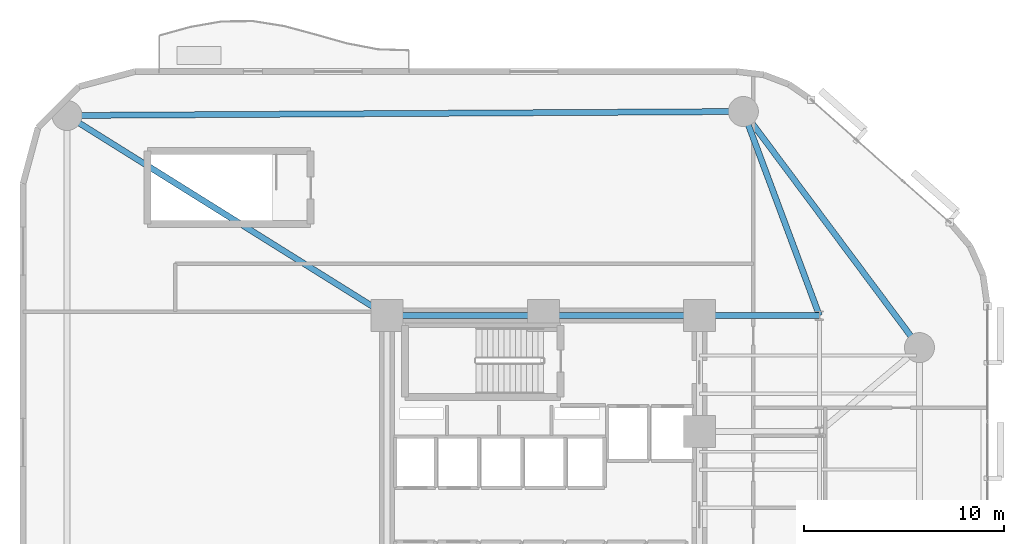
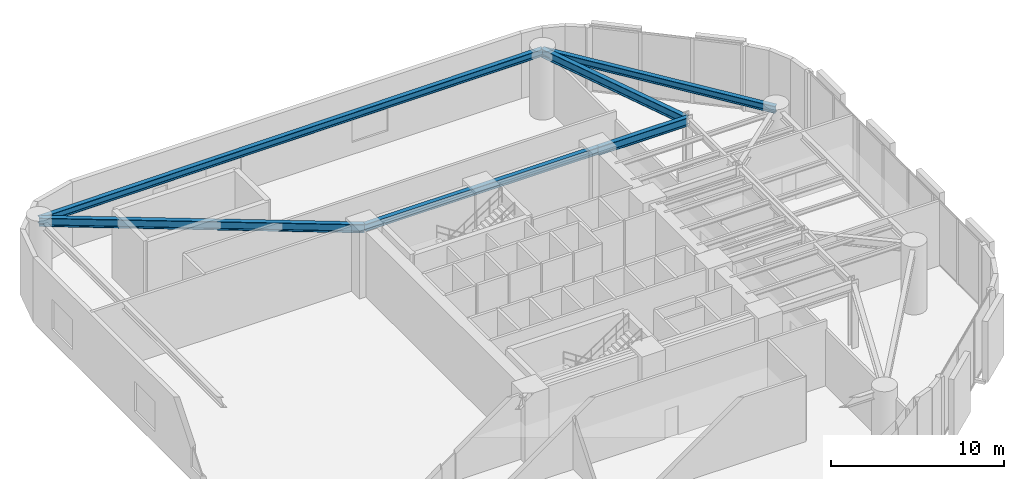
# One storey, part 6 of 13: 6 beams.
"""IFC4 building model written with IfcOpenShell, lengths in metres."""

from ifc_helpers import new_model, si_unit, direction, frame, origin, origin_2d, place, context, subcontext, project, spatial, i_section, extrude, material, material_profile, profile_set, type_object, element, save


model = new_model("IFC4")

# Units and contexts
model_context = context("Model", 3, precision=1e-05, world=origin(), true_north=direction((0.0, 1.0)))
body_context = subcontext(model_context, "Body", "Model", "MODEL_VIEW")
ifc_project = project(units=[si_unit("LENGTHUNIT", "METRE"), si_unit("AREAUNIT", "SQUARE_METRE"), si_unit("VOLUMEUNIT", "CUBIC_METRE"), si_unit("PLANEANGLEUNIT", "RADIAN"), si_unit("MASSUNIT", "GRAM", prefix="KILO")], contexts=[model_context])

# Site, building, storey
site_placement = place(None, origin())
site = spatial("IfcSite", under=ifc_project, at=site_placement, CompositionType="ELEMENT")
building_placement = place(site_placement, origin())
building = spatial("IfcBuilding", under=site, at=building_placement, Name="An Khanh Terracotta Commons", CompositionType="ELEMENT")
storey_placement = place(building_placement, frame((0.0, 0.0, 24.0)))
storey = spatial("IfcBuildingStorey", under=building, at=storey_placement, Name="L06", CompositionType="ELEMENT", Elevation=24.0)

# Beams
ifc_material = material(Name="Steel S355J2", Category="steel")
ifc_material_profile_1 = material_profile(ifc_material, i_section(OverallWidth=0.300048828125, OverallDepth=0.5, WebThickness=0.014404296875, FlangeThickness=0.028076171875, FilletRadius=0.027099609375, at=origin_2d()), Name="HEB500")
ifc_profile_set_1 = profile_set([ifc_material_profile_1], Name="Steel S355J2")
beam_type_1 = type_object("IfcBeamType", Name="BM-HEB500", PredefinedType="BEAM", material=ifc_profile_set_1)
beam_1_placement = place(storey_placement, frame((21.60009765625, 33.60009765625, 4.35009765625), z_axis=(1.0, 0.0, 0.0), x_axis=(0.0, 1.0, 0.0)))
element("IfcBeam", 1, at=beam_1_placement, inside=storey, type_object=beam_type_1, Name="L06 Core North Coupling Girder", PredefinedType="BEAM", context=body_context, shape_type="SweptSolid", body=[
    extrude(i_section(OverallWidth=0.300048828125, OverallDepth=0.5, WebThickness=0.014404296875, FlangeThickness=0.028076171875, FilletRadius=0.027099609375, at=origin_2d()), origin(), (0.0, 0.0, 1.0), 15.599853515625),
])
beam_2_placement = place(storey_placement, frame((48.199951171875, 32.0, 4.35009765625), z_axis=(-0.59782442166, 0.801627070942, 0.0), x_axis=(-0.801627070942, -0.59782442166, 0.0)))
element("IfcBeam", 2, at=beam_2_placement, inside=storey, type_object=beam_type_1, Name="L06 Perimeter Ring Spandrel 4", PredefinedType="BEAM", context=body_context, shape_type="SweptSolid", body=[
    extrude(i_section(OverallWidth=0.300048828125, OverallDepth=0.5, WebThickness=0.014404296875, FlangeThickness=0.028076171875, FilletRadius=0.027099609375, at=origin_2d()), origin(), (0.0, 0.0, 1.0), 14.72021484375),
])
beam_3_placement = place(storey_placement, frame((39.39990234375, 43.800048828125, 4.35009765625), z_axis=(-0.999982502414, -0.005915645817, 0.0), x_axis=(0.005915645817, -0.999982502414, 0.0)))
element("IfcBeam", 3, at=beam_3_placement, inside=storey, type_object=beam_type_1, Name="L06 Perimeter Ring Spandrel 5", PredefinedType="BEAM", context=body_context, shape_type="SweptSolid", body=[
    extrude(i_section(OverallWidth=0.300048828125, OverallDepth=0.5, WebThickness=0.014404296875, FlangeThickness=0.028076171875, FilletRadius=0.027099609375, at=origin_2d()), origin(), (0.0, 0.0, 1.0), 33.80029296875),
])
ifc_material_profile_2 = material_profile(ifc_material, i_section(OverallWidth=0.300048828125, OverallDepth=0.60009765625, WebThickness=0.015380859375, FlangeThickness=0.030029296875, FilletRadius=0.027099609375, at=origin_2d()), Name="HEB600")
ifc_profile_set_2 = profile_set([ifc_material_profile_2], Name="Steel S355J2")
beam_type_2 = type_object("IfcBeamType", Name="BM-HEB600", PredefinedType="BEAM", material=ifc_profile_set_2)
beam_4_placement = place(storey_placement, frame((37.199951171875, 33.60009765625, 4.300048828125), z_axis=(1.0, 0.0, 0.0), x_axis=(0.0, 1.0, 0.0)))
element("IfcBeam", 4, at=beam_4_placement, inside=storey, type_object=beam_type_2, Name="L06 East Primary Floor Girder 4", PredefinedType="BEAM", context=body_context, shape_type="SweptSolid", body=[
    extrude(i_section(OverallWidth=0.300048828125, OverallDepth=0.60009765625, WebThickness=0.015380859375, FlangeThickness=0.030029296875, FilletRadius=0.027099609375, at=origin_2d()), origin(), (0.0, 0.0, 1.0), 6.0),
])
beam_5_placement = place(storey_placement, frame((39.39990234375, 43.800048828125, 4.300048828125), z_axis=(0.349114429862, -0.937080100558, 0.0), x_axis=(0.937080100558, 0.349114429862, 0.0)))
element("IfcBeam", 5, at=beam_5_placement, inside=storey, type_object=beam_type_2, Name="L06 Mega-Column Tie Girder 5", PredefinedType="BEAM", context=body_context, shape_type="SweptSolid", body=[
    extrude(i_section(OverallWidth=0.300048828125, OverallDepth=0.60009765625, WebThickness=0.015380859375, FlangeThickness=0.030029296875, FilletRadius=0.027099609375, at=origin_2d()), origin(), (0.0, 0.0, 1.0), 10.884765625),
])
beam_6_placement = place(storey_placement, frame((5.60009765625, 43.60009765625, 4.300048828125), z_axis=(0.847998304005, -0.529998940003, 0.0), x_axis=(0.529998940003, 0.847998304005, 0.0)))
element("IfcBeam", 6, at=beam_6_placement, inside=storey, type_object=beam_type_2, Name="L06 Mega-Column Tie Girder 6", PredefinedType="BEAM", context=body_context, shape_type="SweptSolid", body=[
    extrude(i_section(OverallWidth=0.300048828125, OverallDepth=0.60009765625, WebThickness=0.015380859375, FlangeThickness=0.030029296875, FilletRadius=0.027099609375, at=origin_2d()), origin(), (0.0, 0.0, 1.0), 18.867919921875),
])

save(model, "model.ifc")
